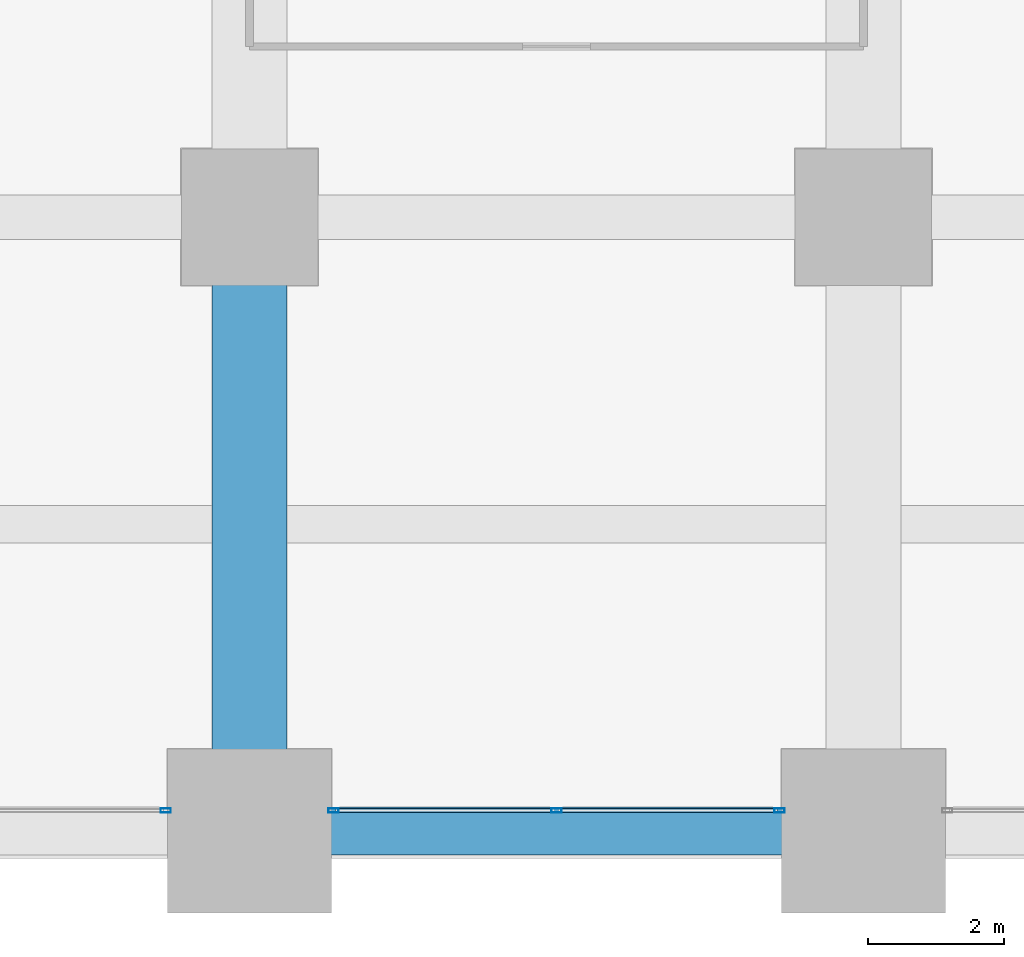
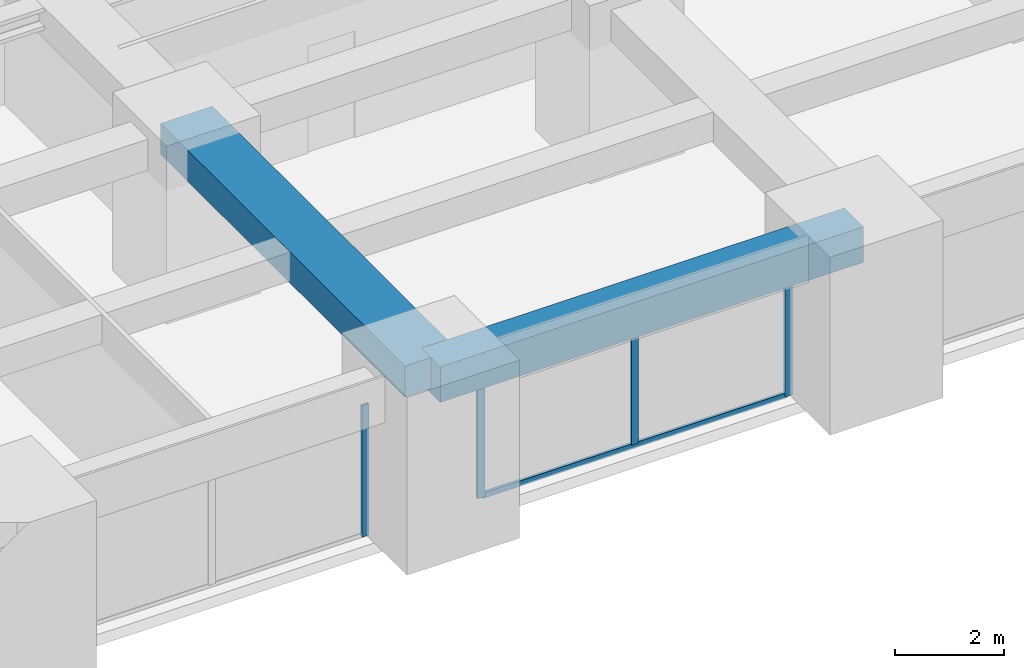
# One storey, part 13 of 40: 5 members, 2 beams, 2 elements without a shape of their own.
"""IFC4 building model written with IfcOpenShell, lengths in metres."""

import ifcopenshell
import ifcopenshell.guid

model = None  # the IFC model being written
_history = None  # IfcOwnerHistory: only IFC2X3 demands one
_inside = {}  # id of a spatial element -> (the spatial element, [elements in it])
_under = {}  # id of a project, library or spatial element -> (it, [spatial elements below it])
_declared = {}  # id of a project -> (the project, [libraries it declares])
_typed = {}  # id of a type object -> (the type object, [elements of that type])
_made_of = {}  # id of a material, layer set ... -> (it, [elements and type objects made of it])


def new_model(schema):
    """Start an empty IFC model of exactly this schema.

    Asked for "IFC4X3", IfcOpenShell would pick the latest addendum, in which some entities
    have other attributes; the version numbers below select the first issue.
    IFC2X3 requires an IfcOwnerHistory on every rooted entity: one is made here for all.
    """
    global model, _history
    if schema == "IFC4X3":
        model = ifcopenshell.file(schema_version=(4, 3, 0, 0))
    else:
        model = ifcopenshell.file(schema=schema)
    _inside.clear()
    _under.clear()
    _declared.clear()
    _typed.clear()
    _made_of.clear()
    _history = None
    if model.schema == "IFC2X3":
        org = make("IfcOrganization", Name="unknown")
        user = make(
            "IfcPersonAndOrganization",
            ThePerson=make("IfcPerson", FamilyName="unknown"),
            TheOrganization=org,
        )
        app = make(
            "IfcApplication",
            ApplicationDeveloper=org,
            Version="unknown",
            ApplicationFullName="unknown",
            ApplicationIdentifier="unknown",
        )
        _history = make(
            "IfcOwnerHistory",
            OwningUser=user,
            OwningApplication=app,
            ChangeAction="ADDED",
            CreationDate=0,
        )
    return model


def make(cls, **values):
    """One entity of the class cls with the attributes given. An attribute that is None is left unset."""
    return model.create_entity(
        cls, **{name: value for name, value in values.items() if value is not None}
    )


def rooted(cls, **values):
    """An entity with a GlobalId (a new one), such as an element, a storey or a relation."""
    return make(cls, GlobalId=ifcopenshell.guid.new(), OwnerHistory=_history, **values)


def si_unit(unit_type, name, prefix=None):
    """IfcSIUnit, for example si_unit("LENGTHUNIT", "METRE", prefix="MILLI")."""
    return make("IfcSIUnit", UnitType=unit_type, Prefix=prefix, Name=name)


def assignment(units):
    """IfcUnitAssignment: the units of a project."""
    return None if units is None else make("IfcUnitAssignment", Units=units)


def point(xyz):
    """IfcCartesianPoint."""
    return None if xyz is None else make("IfcCartesianPoint", Coordinates=xyz)


def direction(xyz):
    """IfcDirection."""
    return None if xyz is None else make("IfcDirection", DirectionRatios=xyz)


def frame(location, z_axis=None, x_axis=None):
    """IfcAxis2Placement3D, a coordinate frame: its origin and axes. An axis left out is left unset."""
    return make(
        "IfcAxis2Placement3D",
        Location=point(location),
        Axis=direction(z_axis),
        RefDirection=direction(x_axis),
    )


def frame_2d(location, x_axis=None):
    """IfcAxis2Placement2D, a coordinate frame in the plane: its origin and x axis."""
    return make(
        "IfcAxis2Placement2D", Location=point(location), RefDirection=direction(x_axis)
    )


def origin():
    """The frame at (0, 0, 0) with its axes left unset."""
    return frame((0.0, 0.0, 0.0))


def origin_2d():
    """The frame at (0, 0) in the plane with its x axis left unset."""
    return frame_2d((0.0, 0.0))


def place(relative_to, where):
    """IfcLocalPlacement: puts the frame where relative to a parent placement (None: the world)."""
    return make(
        "IfcLocalPlacement", PlacementRelTo=relative_to, RelativePlacement=where
    )


def context(
    kind, dimensions, precision=None, world=None, true_north=None, identifier=None
):
    """IfcGeometricRepresentationContext, for example the 3D "Model" context."""
    return make(
        "IfcGeometricRepresentationContext",
        ContextIdentifier=identifier,
        ContextType=kind,
        CoordinateSpaceDimension=dimensions,
        Precision=precision,
        WorldCoordinateSystem=world,
        TrueNorth=true_north,
    )


def subcontext(parent, identifier, kind, view, scale=None):
    """IfcGeometricRepresentationSubContext, for example "Body" below "Model"."""
    return make(
        "IfcGeometricRepresentationSubContext",
        ContextIdentifier=identifier,
        ContextType=kind,
        ParentContext=parent,
        TargetScale=scale,
        TargetView=view,
    )


def project(units=None, contexts=None):
    """IfcProject with its units and contexts."""
    return rooted(
        "IfcProject",
        Name="project",
        RepresentationContexts=contexts,
        UnitsInContext=assignment(units),
    )


def spatial(cls, under=None, at=None, **own):
    """A site, building, storey or space (cls), placed at a placement, below another one or the project."""
    s = rooted(cls, ObjectPlacement=at, **own)
    if under is not None:
        _under.setdefault(under.id(), (under, []))[1].append(s)
    return s


def profile(cls, at=None, kind="AREA", **sizes):
    """A parametric profile (cls). Its sizes go by their IFC names, for example OverallWidth=200.0."""
    return make(cls, ProfileType=kind, Position=at, **sizes)


def rectangle(**sizes):
    """IfcRectangleProfileDef."""
    return profile("IfcRectangleProfileDef", **sizes)


def hollow_rectangle(**sizes):
    """IfcRectangleHollowProfileDef."""
    return profile("IfcRectangleHollowProfileDef", **sizes)


def extrude(swept, where, along, depth):
    """IfcExtrudedAreaSolid: the profile swept, set in the frame where, extruded along a direction by depth."""
    return make(
        "IfcExtrudedAreaSolid",
        SweptArea=swept,
        Position=where,
        ExtrudedDirection=direction(along),
        Depth=depth,
    )


def shape(context_of_items, identifier, shape_type, items):
    """IfcShapeRepresentation: the items that make up one representation, for example the "Body"."""
    return make(
        "IfcShapeRepresentation",
        ContextOfItems=context_of_items,
        RepresentationIdentifier=identifier,
        RepresentationType=shape_type,
        Items=items,
    )


def material(Name=None, Category=None):
    """IfcMaterial."""
    return make("IfcMaterial", Name=Name, Category=Category)


def material_profile(
    of_material, cross_section, Name=None, Category=None, Priority=None
):
    """IfcMaterialProfile: a cross section and its material."""
    return make(
        "IfcMaterialProfile",
        Name=Name,
        Material=of_material,
        Profile=cross_section,
        Priority=Priority,
        Category=Category,
    )


def profile_set(profiles, Name=None, composite=None):
    """IfcMaterialProfileSet."""
    return make(
        "IfcMaterialProfileSet",
        Name=Name,
        MaterialProfiles=profiles,
        CompositeProfile=composite,
    )


def made_of(thing, what):
    """Note that an element or type object is made of a material, layer set ...; save() writes the relation."""
    if what is not None:
        _made_of.setdefault(what.id(), (what, []))[1].append(thing)
    return thing


def type_object(cls, material=None, **own):
    """A type object (cls), such as IfcWallType, which elements share."""
    return made_of(rooted(cls, **own), material)


def element(
    cls,
    number,
    at=None,
    inside=None,
    cuts=None,
    type_object=None,
    material=None,
    context=None,
    identifier="Body",
    shape_type=None,
    held_by="IfcProductDefinitionShape",
    body=None,
    shapes=None,
    **own,
):
    """One element of the class cls, such as IfcWall. Its Tag is "e" and its number.

    at: its placement. inside: the storey or other place that contains it. cuts: it is an
    opening in that element (IfcRelVoidsElement). A single representation is given by context,
    identifier, shape_type and body (its items); several are given by shapes. held_by: the class
    of the entity that holds the representations. save() writes the other relations.
    """
    e = rooted(cls, Tag="e%d" % number, ObjectPlacement=at, **own)
    if body is not None:
        shapes = [shape(context, identifier, shape_type, body)]
    if shapes is not None:
        e.Representation = make(held_by, Representations=shapes)
    if inside is not None:
        _inside.setdefault(inside.id(), (inside, []))[1].append(e)
    if cuts is not None:
        rooted(
            "IfcRelVoidsElement", RelatingBuildingElement=cuts, RelatedOpeningElement=e
        )
    if type_object is not None:
        _typed.setdefault(type_object.id(), (type_object, []))[1].append(e)
    return made_of(e, material)


def aggregate(whole, parts):
    """IfcRelAggregates: a whole, such as a stair, and the parts it consists of."""
    return rooted("IfcRelAggregates", RelatingObject=whole, RelatedObjects=parts)


def save(model, path):
    """Write the relations noted so far, then the file.

    IfcRelAggregates (storeys below a building ...), IfcRelContainedInSpatialStructure (elements
    in a storey), IfcRelDefinesByType, IfcRelAssociatesMaterial and IfcRelDeclares: one each for
    every whole, place, type object, material and project.
    """
    for whole, parts in _under.values():
        aggregate(whole, parts)
    for where, things in _inside.values():
        rooted(
            "IfcRelContainedInSpatialStructure",
            RelatedElements=things,
            RelatingStructure=where,
        )
    for kind, things in _typed.values():
        rooted("IfcRelDefinesByType", RelatedObjects=things, RelatingType=kind)
    for what, things in _made_of.values():
        rooted("IfcRelAssociatesMaterial", RelatedObjects=things, RelatingMaterial=what)
    for by, libraries in _declared.values():
        rooted("IfcRelDeclares", RelatingContext=by, RelatedDefinitions=libraries)
    model.write(path)


model = new_model("IFC4")

# Units and contexts
model_context = context("Model", 3, precision=1e-05, world=origin(), true_north=direction((0.0, 1.0)))
body_context = subcontext(model_context, "Body", "Model", "MODEL_VIEW")
ifc_project = project(units=[si_unit("LENGTHUNIT", "METRE"), si_unit("AREAUNIT", "SQUARE_METRE"), si_unit("VOLUMEUNIT", "CUBIC_METRE"), si_unit("PLANEANGLEUNIT", "RADIAN"), si_unit("MASSUNIT", "GRAM", prefix="KILO")], contexts=[model_context])

# Site, building, storey
site_placement = place(None, origin())
site = spatial("IfcSite", under=ifc_project, at=site_placement, CompositionType="ELEMENT")
building_placement = place(site_placement, origin())
building = spatial("IfcBuilding", under=site, at=building_placement, Name="Zorevar Civic Tower", CompositionType="ELEMENT")
storey_placement = place(building_placement, frame((0.0, 0.0, 93.0)))
storey = spatial("IfcBuildingStorey", under=building, at=storey_placement, Name="L22", CompositionType="ELEMENT", Elevation=93.0)

# Beam
ifc_material_1 = material(Name="Concrete C50/60", Category="concrete")
ifc_material_profile_1 = material_profile(ifc_material_1, rectangle(XDim=1.10009765625, YDim=0.699951171875, at=origin_2d()), Name="RC 1100x700")
ifc_profile_set_1 = profile_set([ifc_material_profile_1], Name="Concrete C50/60")
beam_type_1 = type_object("IfcBeamType", Name="Beam RC 1100x700", PredefinedType="BEAM", material=ifc_profile_set_1)
beam_1_placement = place(storey_placement, frame((36.0, 0.0, 3.39990234375), z_axis=(0.0, 1.0, 0.0), x_axis=(-1.0, 0.0, 0.0)))
element("IfcBeam", 1, at=beam_1_placement, inside=storey, type_object=beam_type_1, Name="Girder L23", PredefinedType="BEAM", context=body_context, shape_type="SweptSolid", body=[
    extrude(rectangle(XDim=1.10009765625, YDim=0.699951171875, at=origin_2d()), origin(), (0.0, 0.0, 1.0), 9.0),
])

# Curtain wall, member
ifc_material_2 = material(Name="Dark grey solar-control glass in black aluminium frame", Category="aluminium")
curtain_wall_type = type_object("IfcCurtainWallType", Name="Curtain wall CW3 mid zone", PredefinedType="NOTDEFINED", material=ifc_material_2)
curtain_wall_1_placement = place(storey_placement, origin())
curtain_wall_1 = element("IfcCurtainWall", 2, at=curtain_wall_1_placement, inside=storey, type_object=curtain_wall_type, Name="CW3 L22", PredefinedType="NOTDEFINED")
ifc_material_3 = material(Name="Aluminium, black anodised", Category="aluminium")
ifc_material_profile_2 = material_profile(ifc_material_3, hollow_rectangle(XDim=0.06005859375, YDim=0.14990234375, WallThickness=0.00390625, at=origin_2d()), Name="AL 150x60x4")
ifc_profile_set_2 = profile_set([ifc_material_profile_2], Name="Aluminium, black anodised")
member_type_1 = type_object("IfcMemberType", Name="CW3 mullion AL 150x60x4", PredefinedType="MULLION", material=ifc_profile_set_2)
member_1_placement = place(storey_placement, frame((34.77001953125, 0.300048828125, 0.0), z_axis=(0.0, 0.0, 1.0), x_axis=(0.0, 1.0, 0.0)))
member_1 = element("IfcMember", 3, at=member_1_placement, type_object=member_type_1, Name="CW3 mullion 3", PredefinedType="MULLION", context=body_context, shape_type="SweptSolid", body=[
    extrude(hollow_rectangle(XDim=0.06005859375, YDim=0.14990234375, WallThickness=0.00390625, at=origin_2d()), origin(), (0.0, 0.0, 1.0), 2.949951171875),
])
aggregate(curtain_wall_1, [member_1])

# Curtain wall, members
curtain_wall_2_placement = place(storey_placement, origin())
curtain_wall_2 = element("IfcCurtainWall", 4, at=curtain_wall_2_placement, inside=storey, type_object=curtain_wall_type, Name="CW3 L22", PredefinedType="NOTDEFINED")
member_2_placement = place(storey_placement, frame((37.22998046875, 0.300048828125, 0.0), z_axis=(0.0, 0.0, 1.0), x_axis=(0.0, 1.0, 0.0)))
member_2 = element("IfcMember", 5, at=member_2_placement, type_object=member_type_1, Name="CW3 mullion 1", PredefinedType="MULLION", context=body_context, shape_type="SweptSolid", body=[
    extrude(hollow_rectangle(XDim=0.06005859375, YDim=0.14990234375, WallThickness=0.00390625, at=origin_2d()), origin(), (0.0, 0.0, 1.0), 2.949951171875),
])
member_3_placement = place(storey_placement, frame((40.5, 0.300048828125, 0.06005859375), z_axis=(0.0, 0.0, 1.0), x_axis=(0.0, 1.0, 0.0)))
member_3 = element("IfcMember", 6, at=member_3_placement, type_object=member_type_1, Name="CW3 mullion 2", PredefinedType="MULLION", context=body_context, shape_type="SweptSolid", body=[
    extrude(hollow_rectangle(XDim=0.06005859375, YDim=0.14990234375, WallThickness=0.00390625, at=origin_2d()), origin(), (0.0, 0.0, 1.0), 2.889892578125),
])
member_4_placement = place(storey_placement, frame((43.77001953125, 0.300048828125, 0.0), z_axis=(0.0, 0.0, 1.0), x_axis=(0.0, 1.0, 0.0)))
member_4 = element("IfcMember", 7, at=member_4_placement, type_object=member_type_1, Name="CW3 mullion 3", PredefinedType="MULLION", context=body_context, shape_type="SweptSolid", body=[
    extrude(hollow_rectangle(XDim=0.06005859375, YDim=0.14990234375, WallThickness=0.00390625, at=origin_2d()), origin(), (0.0, 0.0, 1.0), 2.949951171875),
])
ifc_material_4 = material(Name="Aluminium, black anodised", Category="aluminium")
ifc_material_profile_3 = material_profile(ifc_material_4, hollow_rectangle(XDim=0.06005859375, YDim=0.1201171875, WallThickness=0.0029296875, at=origin_2d()), Name="AL 120x60x3")
ifc_profile_set_3 = profile_set([ifc_material_profile_3], Name="Aluminium, black anodised")
member_type_2 = type_object("IfcMemberType", Name="CW3 transom AL 120x60x3", PredefinedType="USERDEFINED", material=ifc_profile_set_3)
member_5_placement = place(storey_placement, frame((37.260009765625, 0.300048828125, 0.030029296875), z_axis=(1.0, 0.0, 0.0), x_axis=(0.0, 1.0, 0.0)))
member_5 = element("IfcMember", 8, at=member_5_placement, type_object=member_type_2, Name="CW3 sill transom", ObjectType="TRANSOM", PredefinedType="USERDEFINED", context=body_context, shape_type="SweptSolid", body=[
    extrude(hollow_rectangle(XDim=0.06005859375, YDim=0.1201171875, WallThickness=0.0029296875, at=origin_2d()), origin(), (0.0, 0.0, 1.0), 6.47998046875),
])
aggregate(curtain_wall_2, [member_2, member_3, member_4, member_5])

# Beam
ifc_material_5 = material(Name="Concrete C50/60", Category="concrete")
ifc_material_profile_4 = material_profile(ifc_material_5, rectangle(XDim=0.699951171875, YDim=0.800048828125, at=origin_2d()), Name="RC 700x800")
ifc_profile_set_4 = profile_set([ifc_material_profile_4], Name="Concrete C50/60")
beam_type_2 = type_object("IfcBeamType", Name="Edge beam RC 700x800", PredefinedType="SPANDREL", material=ifc_profile_set_4)
beam_2_placement = place(storey_placement, frame((36.0, 0.0, 3.35009765625), z_axis=(1.0, 0.0, 0.0), x_axis=(0.0, 1.0, 0.0)))
element("IfcBeam", 9, at=beam_2_placement, inside=storey, type_object=beam_type_2, Name="Edge beam L23", PredefinedType="SPANDREL", context=body_context, shape_type="SweptSolid", body=[
    extrude(rectangle(XDim=0.699951171875, YDim=0.800048828125, at=origin_2d()), origin(), (0.0, 0.0, 1.0), 9.0),
])

save(model, "model.ifc")
